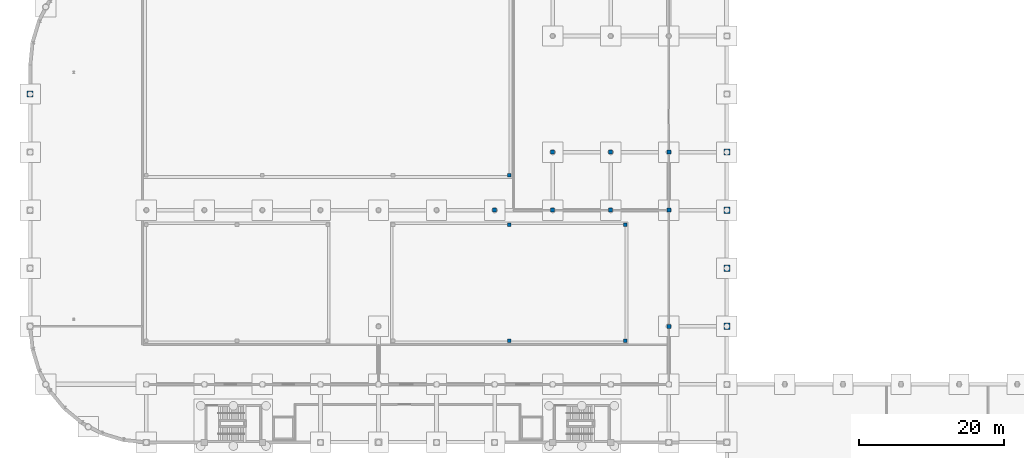
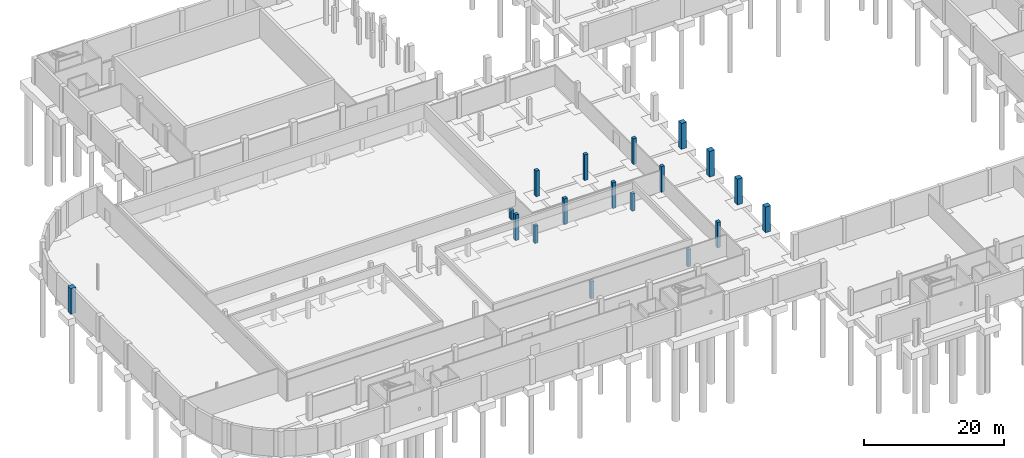
# One storey, part 10 of 29: 18 columns.
"""IFC4 building model written with IfcOpenShell, lengths in metres."""

from ifc_helpers import new_model, si_unit, direction, frame, origin, origin_2d, place, context, subcontext, project, spatial, rectangle, extrude, material, material_profile, profile_set, type_object, element, save


model = new_model("IFC4")

# Units and contexts
model_context = context("Model", 3, precision=1e-05, world=origin(), true_north=direction((0.0, 1.0)))
body_context = subcontext(model_context, "Body", "Model", "MODEL_VIEW")
ifc_project = project(units=[si_unit("LENGTHUNIT", "METRE"), si_unit("AREAUNIT", "SQUARE_METRE"), si_unit("VOLUMEUNIT", "CUBIC_METRE"), si_unit("PLANEANGLEUNIT", "RADIAN"), si_unit("MASSUNIT", "GRAM", prefix="KILO")], contexts=[model_context])

# Site, building, storey
site_placement = place(None, origin())
site = spatial("IfcSite", under=ifc_project, at=site_placement, CompositionType="ELEMENT")
building_placement = place(site_placement, origin())
building = spatial("IfcBuilding", under=site, at=building_placement, Name="Drelvana Railside Aquatics Centre", CompositionType="ELEMENT")
storey_placement = place(building_placement, frame((0.0, 0.0, -4.800048828125)))
storey = spatial("IfcBuildingStorey", under=building, at=storey_placement, Name="B1", CompositionType="ELEMENT", Elevation=-4.800048828125)

# Columns
ifc_material = material(Name="Concrete C40/50", Category="concrete")
ifc_material_profile_1 = material_profile(ifc_material, rectangle(XDim=0.5, YDim=0.5, at=origin_2d()), Name="RC 500x500")
ifc_profile_set_1 = profile_set([ifc_material_profile_1], Name="Concrete C40/50")
column_type_1 = type_object("IfcColumnType", Name="STR-COL-RC-500x500", PredefinedType="COLUMN", material=ifc_profile_set_1)
column_placement = place(storey_placement, frame((66.0, 52.800048828125, 0.0), z_axis=(0.0, 0.0, 1.0), x_axis=(1.0, 0.0, 0.0)))
element("IfcColumn", 1, at=column_placement, inside=storey, type_object=column_type_1, Name="Competition Pool support pier 7", PredefinedType="COLUMN", context=body_context, shape_type="SweptSolid", body=[
    extrude(rectangle(XDim=0.5, YDim=0.5, at=origin_2d()), origin(), (0.0, 0.0, 1.0), 1.650146484375),
])
for number, where, z_axis, x_axis, name in (
    (2, (66.0, 30.0, 0.0), (0.0, 0.0, 1.0), (1.0, 0.0, 0.0), "Leisure Pool support pier 3"),
    (3, (66.0, 46.0, 0.0), (0.0, 0.0, 1.0), (1.0, 0.0, 0.0), "Leisure Pool support pier 4"),
    (4, (82.0, 30.0, 0.0), (0.0, 0.0, 1.0), (1.0, 0.0, 0.0), "Leisure Pool support pier 5"),
    (5, (82.0, 46.0, 0.0), (0.0, 0.0, 1.0), (1.0, 0.0, 0.0), "Leisure Pool support pier 6"),
):
    element("IfcColumn", number, at=place(storey_placement, frame(where, z_axis=z_axis, x_axis=x_axis)), inside=storey, type_object=column_type_1, Name=name, PredefinedType="COLUMN", context=body_context, shape_type="SweptSolid", body=[
        extrude(rectangle(XDim=0.5, YDim=0.5, at=origin_2d()), origin(), (0.0, 0.0, 1.0), 3.02001953125),
    ])
ifc_material_profile_2 = material_profile(ifc_material, rectangle(XDim=0.550048828125, YDim=0.550048828125, at=origin_2d()), Name="RC 550x550")
ifc_profile_set_2 = profile_set([ifc_material_profile_2], Name="Concrete C40/50")
column_type_2 = type_object("IfcColumnType", Name="STR-COL-RC-550x550", PredefinedType="COLUMN", material=ifc_profile_set_2)
for number, where, z_axis, x_axis, name in (
    (6, (64.0, 48.0, 0.0), (0.0, 0.0, 1.0), (1.0, 0.0, 0.0), "Column C-03 (B1)"),
    (7, (72.0, 48.0, 0.0), (0.0, 0.0, 1.0), (1.0, 0.0, 0.0), "Column C-03 (B1)"),
    (8, (72.0, 56.0, 0.0), (0.0, 0.0, 1.0), (1.0, 0.0, 0.0), "Column C-03 (B1)"),
    (9, (80.0, 48.0, 0.0), (0.0, 0.0, 1.0), (1.0, 0.0, 0.0), "Column C-03 (B1)"),
    (10, (80.0, 56.0, 0.0), (0.0, 0.0, 1.0), (1.0, 0.0, 0.0), "Column C-03 (B1)"),
    (11, (88.0, 32.0, 0.0), (0.0, 0.0, 1.0), (1.0, 0.0, 0.0), "Column C-03 (B1)"),
    (12, (88.0, 48.0, 0.0), (0.0, 0.0, 1.0), (1.0, 0.0, 0.0), "Column C-03 (B1)"),
    (13, (88.0, 56.0, 0.0), (0.0, 0.0, 1.0), (1.0, 0.0, 0.0), "Column C-03 (B1)"),
):
    element("IfcColumn", number, at=place(storey_placement, frame(where, z_axis=z_axis, x_axis=x_axis)), inside=storey, type_object=column_type_2, Name=name, PredefinedType="COLUMN", context=body_context, shape_type="SweptSolid", body=[
        extrude(rectangle(XDim=0.550048828125, YDim=0.550048828125, at=origin_2d()), origin(), (0.0, 0.0, 1.0), 4.469970703125),
    ])
ifc_material_profile_3 = material_profile(ifc_material, rectangle(XDim=0.85009765625, YDim=0.85009765625, at=origin_2d()), Name="RC 850x850")
ifc_profile_set_3 = profile_set([ifc_material_profile_3], Name="Concrete C40/50")
column_type_3 = type_object("IfcColumnType", Name="STR-COL-RC-850x850", PredefinedType="COLUMN", material=ifc_profile_set_3)
for number, where, z_axis, x_axis, name in (
    (14, (0.0, 64.0, 0.0), (0.0, 0.0, 1.0), (1.0, 0.0, 0.0), "Column C-09 (B1)"),
    (15, (96.0, 32.0, 0.0), (0.0, 0.0, 1.0), (1.0, 0.0, 0.0), "Column C-09 (B1)"),
    (16, (96.0, 40.0, 0.0), (0.0, 0.0, 1.0), (1.0, 0.0, 0.0), "Column C-09 (B1)"),
    (17, (96.0, 48.0, 0.0), (0.0, 0.0, 1.0), (1.0, 0.0, 0.0), "Column C-09 (B1)"),
    (18, (96.0, 56.0, 0.0), (0.0, 0.0, 1.0), (1.0, 0.0, 0.0), "Column C-09 (B1)"),
):
    element("IfcColumn", number, at=place(storey_placement, frame(where, z_axis=z_axis, x_axis=x_axis)), inside=storey, type_object=column_type_3, Name=name, PredefinedType="COLUMN", context=body_context, shape_type="SweptSolid", body=[
        extrude(rectangle(XDim=0.85009765625, YDim=0.85009765625, at=origin_2d()), origin(), (0.0, 0.0, 1.0), 4.469970703125),
    ])

save(model, "model.ifc")
